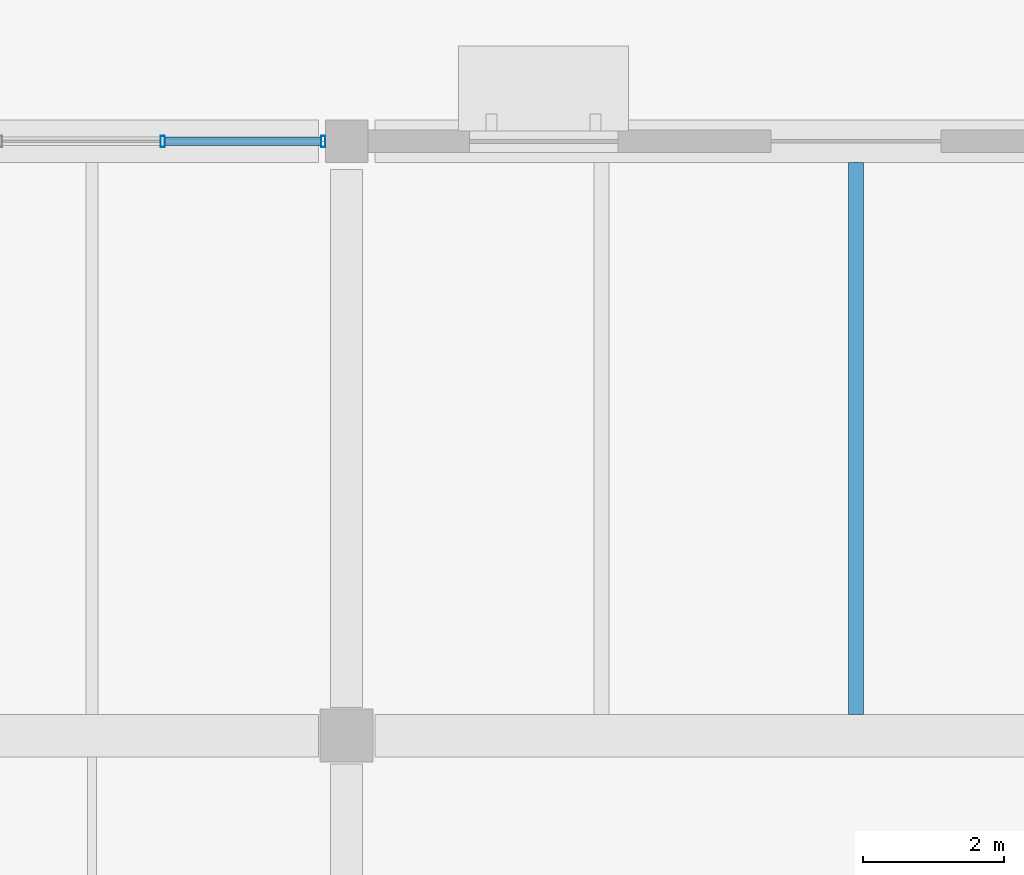
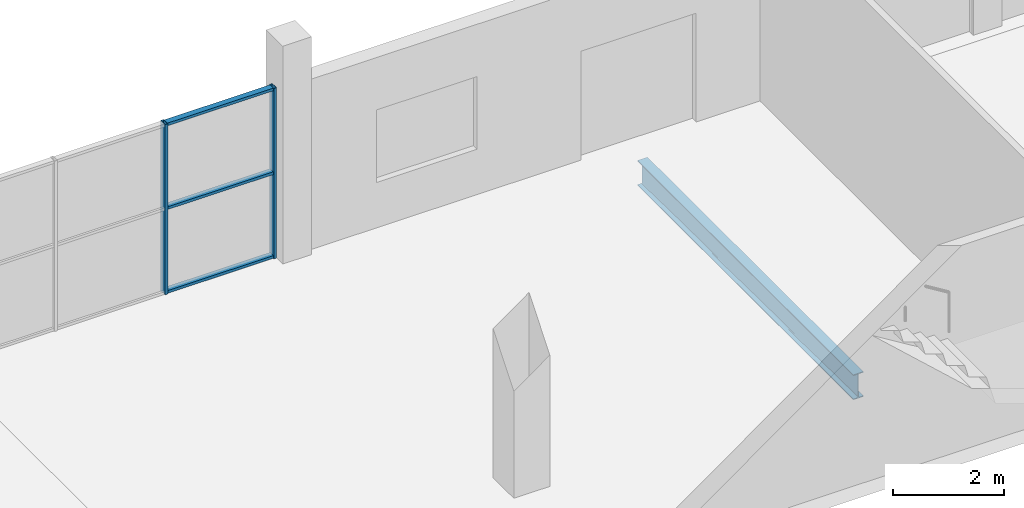
# One storey, part 61 of 130: 5 members, 1 beam, 1 element without a shape of its own.
"""IFC4 building model written with IfcOpenShell, lengths in metres."""

from ifc_helpers import new_model, si_unit, direction, frame, origin, origin_2d, place, context, subcontext, project, spatial, hollow_rectangle, i_section, extrude, material, material_profile, profile_set, type_object, element, aggregate, save


model = new_model("IFC4")

# Units and contexts
model_context = context("Model", 3, precision=1e-05, world=origin(), true_north=direction((0.0, 1.0)))
body_context = subcontext(model_context, "Body", "Model", "MODEL_VIEW")
ifc_project = project(units=[si_unit("LENGTHUNIT", "METRE"), si_unit("AREAUNIT", "SQUARE_METRE"), si_unit("VOLUMEUNIT", "CUBIC_METRE"), si_unit("PLANEANGLEUNIT", "RADIAN"), si_unit("MASSUNIT", "GRAM", prefix="KILO"), si_unit("THERMODYNAMICTEMPERATUREUNIT", "KELVIN")], contexts=[model_context])

# Site, building, storey
site_placement = place(None, origin())
site = spatial("IfcSite", under=ifc_project, at=site_placement, CompositionType="ELEMENT")
building_placement = place(site_placement, origin())
building = spatial("IfcBuilding", under=site, at=building_placement, Name="Nduvali Passage Aquatics Centre", CompositionType="ELEMENT")
storey_placement = place(building_placement, origin())
storey = spatial("IfcBuildingStorey", under=building, at=storey_placement, Name="L00", CompositionType="ELEMENT", Elevation=0.0)

# Curtain wall, members
ifc_material_1 = material(Name="Aluminium EN AW-6063 T6", Category="aluminium")
curtain_wall_type = type_object("IfcCurtainWallType", Name="ENV-CW-WELL", PredefinedType="NOTDEFINED", material=ifc_material_1)
curtain_wall_placement = place(storey_placement, origin())
curtain_wall = element("IfcCurtainWall", 1, at=curtain_wall_placement, inside=storey, type_object=curtain_wall_type, Name="L00 North Avenue Lobby CW 107", PredefinedType="NOTDEFINED")
ifc_material_profile_1 = material_profile(ifc_material_1, hollow_rectangle(XDim=0.06005859375, YDim=0.159912109375, WallThickness=0.00390625, at=origin_2d()), Name="ALU MULLION 60x160x4")
ifc_profile_set_1 = profile_set([ifc_material_profile_1], Name="Aluminium EN AW-6063 T6")
member_type_1 = type_object("IfcMemberType", Name="ENV-MEM-MUL60", PredefinedType="MULLION", material=ifc_profile_set_1)
member_1_placement = place(storey_placement, frame((94.60009765625, 117.60009765625, 0.0), z_axis=(0.0, 0.0, 1.0), x_axis=(1.0, 0.0, 0.0)))
member_1 = element("IfcMember", 2, at=member_1_placement, type_object=member_type_1, Name="North Avenue Lobby CW Mullion 6", PredefinedType="MULLION", context=body_context, shape_type="SweptSolid", body=[
    extrude(hollow_rectangle(XDim=0.06005859375, YDim=0.159912109375, WallThickness=0.00390625, at=origin_2d()), origin(), (0.0, 0.0, 1.0), 3.75390625),
])
member_2_placement = place(storey_placement, frame((96.8701171875, 117.60009765625, 0.0), z_axis=(0.0, 0.0, 1.0), x_axis=(1.0, 0.0, 0.0)))
member_2 = element("IfcMember", 3, at=member_2_placement, type_object=member_type_1, Name="North Avenue Lobby CW Mullion 7", PredefinedType="MULLION", context=body_context, shape_type="SweptSolid", body=[
    extrude(hollow_rectangle(XDim=0.06005859375, YDim=0.159912109375, WallThickness=0.00390625, at=origin_2d()), origin(), (0.0, 0.0, 1.0), 3.75390625),
])
ifc_material_profile_2 = material_profile(ifc_material_1, hollow_rectangle(XDim=0.1201171875, YDim=0.06005859375, WallThickness=0.00390625, at=origin_2d()), Name="ALU TRANSOM 120x60x4")
ifc_profile_set_2 = profile_set([ifc_material_profile_2], Name="Aluminium EN AW-6063 T6")
member_type_2 = type_object("IfcMemberType", Name="ENV-MEM-TRN60", PredefinedType="USERDEFINED", material=ifc_profile_set_2)
member_3_placement = place(storey_placement, frame((94.6298828125, 117.60009765625, 0.030029296875), z_axis=(1.0, 0.0, 0.0), x_axis=(0.0, 1.0, 0.0)))
member_3 = element("IfcMember", 4, at=member_3_placement, type_object=member_type_2, Name="North Avenue Lobby CW Transom B6-R0", ObjectType="TRANSOM", PredefinedType="USERDEFINED", context=body_context, shape_type="SweptSolid", body=[
    extrude(hollow_rectangle(XDim=0.1201171875, YDim=0.06005859375, WallThickness=0.00390625, at=origin_2d()), origin(), (0.0, 0.0, 1.0), 2.210205078125),
])
member_4_placement = place(storey_placement, frame((94.6298828125, 117.60009765625, 1.876953125), z_axis=(1.0, 0.0, 0.0), x_axis=(0.0, 1.0, 0.0)))
member_4 = element("IfcMember", 5, at=member_4_placement, type_object=member_type_2, Name="North Avenue Lobby CW Transom B6-R1", ObjectType="TRANSOM", PredefinedType="USERDEFINED", context=body_context, shape_type="SweptSolid", body=[
    extrude(hollow_rectangle(XDim=0.1201171875, YDim=0.06005859375, WallThickness=0.00390625, at=origin_2d()), origin(), (0.0, 0.0, 1.0), 2.210205078125),
])
member_5_placement = place(storey_placement, frame((94.6298828125, 117.60009765625, 3.723876953125), z_axis=(1.0, 0.0, 0.0), x_axis=(0.0, 1.0, 0.0)))
member_5 = element("IfcMember", 6, at=member_5_placement, type_object=member_type_2, Name="North Avenue Lobby CW Transom B6-R2", ObjectType="TRANSOM", PredefinedType="USERDEFINED", context=body_context, shape_type="SweptSolid", body=[
    extrude(hollow_rectangle(XDim=0.1201171875, YDim=0.06005859375, WallThickness=0.00390625, at=origin_2d()), origin(), (0.0, 0.0, 1.0), 2.210205078125),
])
aggregate(curtain_wall, [member_1, member_2, member_3, member_4, member_5])

# Beam
ifc_material_2 = material(Name="Steel S355", Category="steel")
ifc_material_profile_3 = material_profile(ifc_material_2, i_section(OverallWidth=0.2099609375, OverallDepth=0.550048828125, WebThickness=0.010986328125, FlangeThickness=0.01708984375, FilletRadius=0.02392578125, at=origin_2d()), Name="IPE 550")
ifc_profile_set_3 = profile_set([ifc_material_profile_3], Name="Steel S355")
beam_type = type_object("IfcBeamType", Name="STR-JST-IPE550", PredefinedType="JOIST", material=ifc_profile_set_3)
beam_placement = place(storey_placement, frame((104.39990234375, 109.5, -0.5791015625), z_axis=(0.0, 1.0, 0.0), x_axis=(-1.0, 0.0, 0.0)))
element("IfcBeam", 7, at=beam_placement, inside=storey, type_object=beam_type, Name="L00 Secondary Joist J5C-0421", PredefinedType="JOIST", context=body_context, shape_type="SweptSolid", body=[
    extrude(i_section(OverallWidth=0.2099609375, OverallDepth=0.550048828125, WebThickness=0.010986328125, FlangeThickness=0.01708984375, FilletRadius=0.02392578125, at=origin_2d()), origin(), (0.0, 0.0, 1.0), 7.800048828125),
])

save(model, "model.ifc")
